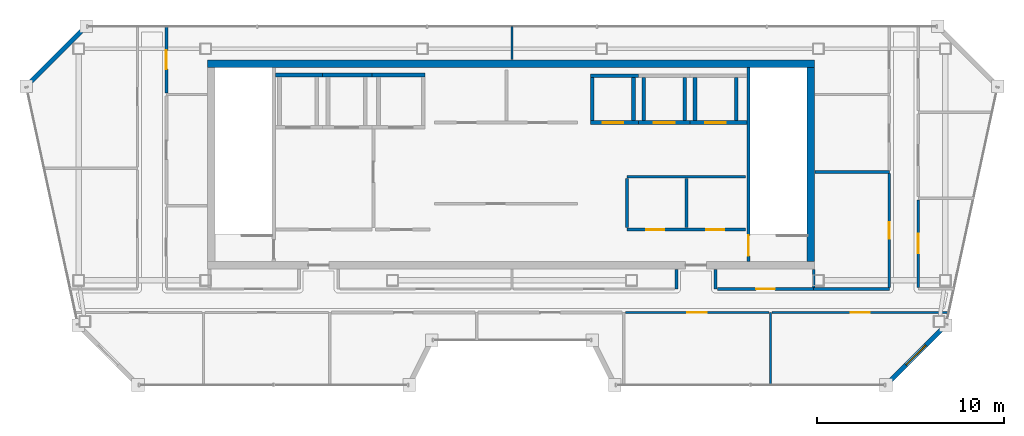
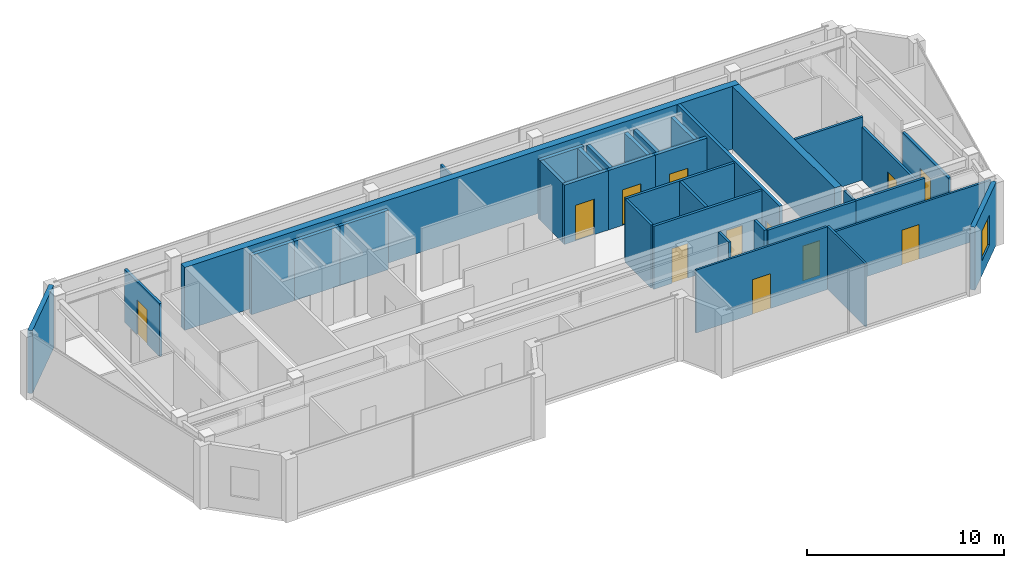
# One storey, part 15 of 17: 35 walls, 12 doors, 1 window, 13 openings.
"""IFC4 building model written with IfcOpenShell, lengths in metres."""

from ifc_helpers import new_model, si_unit, direction, frame, frame_2d, origin, place, context, subcontext, project, spatial, rectangle, extrude, material, layer, layer_set, type_object, element, fill, save


model = new_model("IFC4")

# Units and contexts
model_context = context("Model", 3, precision=1e-05, world=origin(), true_north=direction((0.0, 1.0)))
body_context = subcontext(model_context, "Body", "Model", "MODEL_VIEW")
ifc_project = project(units=[si_unit("LENGTHUNIT", "METRE"), si_unit("AREAUNIT", "SQUARE_METRE"), si_unit("VOLUMEUNIT", "CUBIC_METRE"), si_unit("PLANEANGLEUNIT", "RADIAN"), si_unit("MASSUNIT", "GRAM", prefix="KILO")], contexts=[model_context])

# Site, building, storey
site_placement = place(None, origin())
site = spatial("IfcSite", under=ifc_project, at=site_placement, CompositionType="ELEMENT")
building_placement = place(site_placement, origin())
building = spatial("IfcBuilding", under=site, at=building_placement, Name="Saevonmaru Cultural Tower", CompositionType="ELEMENT")
storey_placement = place(building_placement, frame((0.0, 0.0, 323.39990234375)))
storey = spatial("IfcBuildingStorey", under=building, at=storey_placement, Name="L77", CompositionType="ELEMENT", Elevation=323.39990234375)

# Walls
ifc_material_1 = material(Name="Concrete C50/60", Category="concrete")
ifc_layer_1 = layer(ifc_material_1, 0.39990234375, Name="Concrete C50/60")
ifc_layer_set_1 = layer_set([ifc_layer_1], Name="Concrete C50/60")
wall_type_1 = type_object("IfcWallType", Name="WL-CORE-400", PredefinedType="SHEAR", material=ifc_layer_set_1)
wall_1_placement = place(storey_placement, frame((13.699951171875, 54.0, 0.0), z_axis=(0.0, 0.0, 1.0), x_axis=(1.0, 0.0, 0.0)))
element("IfcWall", 1, at=wall_1_placement, inside=storey, type_object=wall_type_1, Name="L77 Tower RC core shear wall N", PredefinedType="SHEAR", context=body_context, shape_type="SweptSolid", body=[
    extrude(rectangle(XDim=32.5, YDim=0.39990234375, at=frame_2d((16.25, 0.0))), origin(), (0.0, 0.0, 1.0), 3.900146484375),
])
wall_2_placement = place(storey_placement, frame((46.0, 43.39990234375, 0.0), z_axis=(0.0, 0.0, 1.0), x_axis=(0.0, 1.0, 0.0)))
element("IfcWall", 2, at=wall_2_placement, inside=storey, type_object=wall_type_1, Name="L77 Tower RC core shear wall E", PredefinedType="SHEAR", context=body_context, shape_type="SweptSolid", body=[
    extrude(rectangle(XDim=10.400146484375, YDim=0.39990234375, at=frame_2d((5.2001953125, 0.0))), origin(), (0.0, 0.0, 1.0), 3.900146484375),
])

# Wall, openings, doors
ifc_material_2 = material(Name="Gypsum Fireboard Partition", Category="gypsum")
ifc_layer_2 = layer(ifc_material_2, 0.14990234375, Name="Gypsum Fireboard Partition")
ifc_layer_set_2 = layer_set([ifc_layer_2], Name="Gypsum Fireboard Partition")
wall_type_2 = type_object("IfcWallType", Name="WL-CORE-PART-150", PredefinedType="PARTITIONING", material=ifc_layer_set_2)
wall_3_placement = place(storey_placement, frame((36.14990234375, 45.1201171875, 0.0), z_axis=(0.0, 0.0, 1.0), x_axis=(1.0, 0.0, 0.0)))
wall_3 = element("IfcWall", 3, at=wall_3_placement, inside=storey, type_object=wall_type_2, Name="L77 Core Cluster South Wall", PredefinedType="PARTITIONING", context=body_context, shape_type="SweptSolid", body=[
    extrude(rectangle(XDim=6.35009765625, YDim=0.14990234375, at=frame_2d((3.175048828125, 0.0))), origin(), (0.0, 0.0, 1.0), 3.900146484375),
])
opening_1_placement = place(wall_3_placement, frame((1.050048828125, 0.0, 0.0)))
opening_1 = element("IfcOpeningElement", 4, at=opening_1_placement, cuts=wall_3, Name="Opening FD-4", PredefinedType="OPENING", context=body_context, shape_type="SweptSolid", body=[
    extrude(rectangle(XDim=0.949951171875, YDim=2.14990234375, at=frame_2d((0.47509765625, 1.074951171875))), frame((0.0, 0.0849609375, 0.0), z_axis=(0.0, -1.0, 0.0), x_axis=(1.0, 0.0, 0.0)), (0.0, 0.0, 1.0), 0.169921875),
])
opening_2_placement = place(wall_3_placement, frame((4.25, 0.0, 0.0)))
opening_2 = element("IfcOpeningElement", 5, at=opening_2_placement, cuts=wall_3, Name="Opening FD-4", PredefinedType="OPENING", context=body_context, shape_type="SweptSolid", body=[
    extrude(rectangle(XDim=0.949951171875, YDim=2.14990234375, at=frame_2d((0.47509765625, 1.074951171875))), frame((0.0, 0.0849609375, 0.0), z_axis=(0.0, -1.0, 0.0), x_axis=(1.0, 0.0, 0.0)), (0.0, 0.0, 1.0), 0.169921875),
])
ifc_material_3 = material(Name="Satin Bronze Anodised Aluminium", Category="aluminium")
door_type_1 = type_object("IfcDoorType", Name="DR-FD60-950", OperationType="SINGLE_SWING_LEFT", PredefinedType="DOOR", material=ifc_material_3)
door_1_placement = place(opening_1_placement, origin())
door_1 = element("IfcDoor", 6, at=door_1_placement, inside=storey, type_object=door_type_1, Name="L77 BMS Control Room Door", OperationType="SINGLE_SWING_LEFT", OverallHeight=2.14990234375, OverallWidth=0.949951171875, PredefinedType="DOOR", context=body_context, shape_type="SweptSolid", body=[
    extrude(rectangle(XDim=0.949951171875, YDim=2.14990234375, at=frame_2d((0.47509765625, 1.074951171875))), frame((0.0, 0.02490234375, 0.0), z_axis=(0.0, -1.0, 0.0), x_axis=(1.0, 0.0, 0.0)), (0.0, 0.0, 1.0), 0.050048828125),
])
fill(opening_1, door_1)
door_2_placement = place(opening_2_placement, origin())
door_2 = element("IfcDoor", 7, at=door_2_placement, inside=storey, type_object=door_type_1, Name="L77 Fibre Node Plant Door", OperationType="SINGLE_SWING_LEFT", OverallHeight=2.14990234375, OverallWidth=0.949951171875, PredefinedType="DOOR", context=body_context, shape_type="SweptSolid", body=[
    extrude(rectangle(XDim=0.949951171875, YDim=2.14990234375, at=frame_2d((0.47509765625, 1.074951171875))), frame((0.0, 0.02490234375, 0.0), z_axis=(0.0, -1.0, 0.0), x_axis=(1.0, 0.0, 0.0)), (0.0, 0.0, 1.0), 0.050048828125),
])
fill(opening_2, door_2)

# Walls
wall_4_placement = place(storey_placement, frame((36.14990234375, 47.949951171875, 0.0), z_axis=(0.0, 0.0, 1.0), x_axis=(1.0, 0.0, 0.0)))
element("IfcWall", 8, at=wall_4_placement, inside=storey, type_object=wall_type_2, Name="L77 Core Cluster North Wall", PredefinedType="PARTITIONING", context=body_context, shape_type="SweptSolid", body=[
    extrude(rectangle(XDim=6.35009765625, YDim=0.14990234375, at=frame_2d((3.175048828125, 0.0))), origin(), (0.0, 0.0, 1.0), 3.900146484375),
])
for number, where, z_axis, x_axis, name in (
    (9, (36.14990234375, 45.219970703125, 0.0), (0.0, 0.0, 1.0), (0.0, 1.0, 0.0), "L77 Core Cluster West Wall"),
    (10, (39.35009765625, 45.219970703125, 0.0), (0.0, 0.0, 1.0), (0.0, 1.0, 0.0), "L77 Core Cluster Inner Split"),
):
    element("IfcWall", number, at=place(storey_placement, frame(where, z_axis=z_axis, x_axis=x_axis)), inside=storey, type_object=wall_type_2, Name=name, PredefinedType="PARTITIONING", context=body_context, shape_type="SweptSolid", body=[
        extrude(rectangle(XDim=2.630126953125, YDim=0.14990234375, at=frame_2d((1.31494140625, 0.0))), origin(), (0.0, 0.0, 1.0), 3.900146484375),
    ])

# Wall, opening, window
ifc_material_4 = material(Name="Granite-Clad Precast Concrete C40/50", Category="masonry")
ifc_layer_3 = layer(ifc_material_4, 0.260009765625, Name="Granite-Clad Precast Concrete C40/50")
ifc_layer_set_3 = layer_set([ifc_layer_3], Name="Granite-Clad Precast Concrete C40/50")
wall_type_3 = type_object("IfcWallType", Name="WL-EXT-SPANDREL-260", PredefinedType="STANDARD", material=ifc_layer_set_3)
wall_5_placement = place(storey_placement, frame((50.139892578125, 36.9130859375, 0.0), z_axis=(0.0, 0.0, 1.0), x_axis=(0.70707775441, 0.707135806771, 0.0)))
wall_5 = element("IfcWall", 11, at=wall_5_placement, inside=storey, type_object=wall_type_3, Name="L77 Chamfer Corner Spandrel Wall E7", PredefinedType="STANDARD", context=body_context, shape_type="SweptSolid", body=[
    extrude(rectangle(XDim=4.20556640625, YDim=0.260009765625, at=frame_2d((2.102783203125, 0.0))), origin(), (0.0, 0.0, 1.0), 3.900146484375),
])
opening_3_placement = place(wall_5_placement, frame((1.35302734375, 0.0, 0.89990234375)))
opening_3 = element("IfcOpeningElement", 12, at=opening_3_placement, cuts=wall_5, Name="Opening W-2B", PredefinedType="OPENING", context=body_context, shape_type="SweptSolid", body=[
    extrude(rectangle(XDim=1.5, YDim=1.85009765625, at=frame_2d((0.75, 0.925048828125))), frame((0.0, 0.14013671875, 0.0), z_axis=(0.0, -1.0, 0.0), x_axis=(1.0, 0.0, 0.0)), (0.0, 0.0, 1.0), 0.280029296875),
])
window_type = type_object("IfcWindowType", Name="WN-DECO-1500x1850", PartitioningType="SINGLE_PANEL", PredefinedType="WINDOW", material=ifc_material_3)
window_placement = place(opening_3_placement, origin())
window = element("IfcWindow", 13, at=window_placement, inside=storey, type_object=window_type, Name="L77 Chamfer Corner Bronze Window E7", OverallHeight=1.85009765625, OverallWidth=1.5, PartitioningType="SINGLE_PANEL", PredefinedType="WINDOW", context=body_context, shape_type="SweptSolid", body=[
    extrude(rectangle(XDim=1.5, YDim=1.85009765625, at=frame_2d((0.75, 0.925048828125))), frame((0.0, 0.030029296875, 0.0), z_axis=(0.0, -1.0, 0.0), x_axis=(1.0, 0.0, 0.0)), (0.0, 0.0, 1.0), 0.06005859375),
])
fill(opening_3, window)

# Wall
wall_6_placement = place(storey_placement, frame((7.0869140625, 55.886962890625, 0.0), z_axis=(0.0, 0.0, 1.0), x_axis=(-0.707106781187, -0.707106781187, 0.0)))
element("IfcWall", 14, at=wall_6_placement, inside=storey, type_object=wall_type_3, Name="L77 Chamfer Corner Spandrel Wall E11", PredefinedType="STANDARD", context=body_context, shape_type="SweptSolid", body=[
    extrude(rectangle(XDim=4.205810546875, YDim=0.260009765625, at=frame_2d((2.10302734375, 0.0))), origin(), (0.0, 0.0, 1.0), 3.900146484375),
])

# Wall, opening, door
ifc_layer_4 = layer(ifc_material_2, 0.14990234375, Name="Gypsum Fireboard Partition")
ifc_layer_set_4 = layer_set([ifc_layer_4], Name="Gypsum Fireboard Partition")
wall_type_4 = type_object("IfcWallType", Name="WL-PART-FIRE-150", PredefinedType="PARTITIONING", material=ifc_layer_set_4)
wall_7_placement = place(storey_placement, frame((11.5, 52.429931640625, 0.0), z_axis=(0.0, 0.0, 1.0), x_axis=(0.0, 1.0, 0.0)))
wall_7 = element("IfcWall", 15, at=wall_7_placement, inside=storey, type_object=wall_type_4, Name="L77 Media Screening Auditorium Corridor Wall", PredefinedType="PARTITIONING", context=body_context, shape_type="SweptSolid", body=[
    extrude(rectangle(XDim=3.565185546875, YDim=0.14990234375, at=frame_2d((1.78271484375, 0.0))), origin(), (0.0, 0.0, 1.0), 3.28515625),
])
opening_4_placement = place(wall_7_placement, frame((1.281982421875, 0.0, 0.0)))
opening_4 = element("IfcOpeningElement", 16, at=opening_4_placement, cuts=wall_7, Name="Opening ID-1B", PredefinedType="OPENING", context=body_context, shape_type="SweptSolid", body=[
    extrude(rectangle(XDim=1.0, YDim=2.14990234375, at=frame_2d((0.5, 1.074951171875))), frame((0.0, 0.0849609375, 0.0), z_axis=(0.0, -1.0, 0.0), x_axis=(1.0, 0.0, 0.0)), (0.0, 0.0, 1.0), 0.169921875),
])
ifc_material_5 = material(Name="Acoustic Stained Oak Timber", Category="wood")
door_type_2 = type_object("IfcDoorType", Name="DR-INT-1000", OperationType="SINGLE_SWING_RIGHT", PredefinedType="DOOR", material=ifc_material_5)
door_3_placement = place(opening_4_placement, origin())
door_3 = element("IfcDoor", 17, at=door_3_placement, inside=storey, type_object=door_type_2, Name="L77 Media Screening Auditorium Door", OperationType="SINGLE_SWING_LEFT", OverallHeight=2.14990234375, OverallWidth=1.0, PredefinedType="DOOR", context=body_context, shape_type="SweptSolid", body=[
    extrude(rectangle(XDim=1.0, YDim=2.14990234375, at=frame_2d((0.5, 1.074951171875))), frame((0.0, 0.02490234375, 0.0), z_axis=(0.0, -1.0, 0.0), x_axis=(1.0, 0.0, 0.0)), (0.0, 0.0, 1.0), 0.050048828125),
])
fill(opening_4, door_3)

wall_8_placement = place(storey_placement, frame((51.75, 42.027587890625, 0.0), z_axis=(0.0, 0.0, 1.0), x_axis=(0.0, 1.0, 0.0)))
wall_8 = element("IfcWall", 18, at=wall_8_placement, inside=storey, type_object=wall_type_4, Name="L77 Visual Arts Critique Gallery Corridor Wall", PredefinedType="PARTITIONING", context=body_context, shape_type="SweptSolid", body=[
    extrude(rectangle(XDim=4.684814453125, YDim=0.14990234375, at=frame_2d((2.34228515625, 0.0))), origin(), (0.0, 0.0, 1.0), 3.297119140625),
])
opening_5_placement = place(wall_8_placement, frame((1.81689453125, 0.0, 0.0)))
opening_5 = element("IfcOpeningElement", 19, at=opening_5_placement, cuts=wall_8, Name="Opening ID-1", PredefinedType="OPENING", context=body_context, shape_type="SweptSolid", body=[
    extrude(rectangle(XDim=1.050048828125, YDim=2.14990234375, at=frame_2d((0.52490234375, 1.074951171875))), frame((0.0, 0.0849609375, 0.0), z_axis=(0.0, -1.0, 0.0), x_axis=(1.0, 0.0, 0.0)), (0.0, 0.0, 1.0), 0.169921875),
])
door_type_3 = type_object("IfcDoorType", Name="DR-INT-1050", OperationType="SINGLE_SWING_LEFT", PredefinedType="DOOR", material=ifc_material_3)
door_4_placement = place(opening_5_placement, origin())
door_4 = element("IfcDoor", 20, at=door_4_placement, inside=storey, type_object=door_type_3, Name="L77 Visual Arts Critique Gallery Door", OperationType="SINGLE_SWING_RIGHT", OverallHeight=2.14990234375, OverallWidth=1.050048828125, PredefinedType="DOOR", context=body_context, shape_type="SweptSolid", body=[
    extrude(rectangle(XDim=1.050048828125, YDim=2.14990234375, at=frame_2d((0.52490234375, 1.074951171875))), frame((0.0, 0.02490234375, 0.0), z_axis=(0.0, -1.0, 0.0), x_axis=(1.0, 0.0, 0.0)), (0.0, 0.0, 1.0), 0.050048828125),
])
fill(opening_5, door_4)

# Walls
for number, where, z_axis, x_axis, name in (
    (21, (38.800048828125, 41.93994140625, 0.0), (0.0, 0.0, 1.0), (0.0, 1.0, 0.0), "L77 Core Portal Side Wall E1"),
    (22, (40.89990234375, 41.93994140625, 0.0), (0.0, 0.0, 1.0), (0.0, 1.0, 0.0), "L77 Core Portal Side Wall E2"),
):
    element("IfcWall", number, at=place(storey_placement, frame(where, z_axis=z_axis, x_axis=x_axis)), inside=storey, type_object=wall_type_4, Name=name, PredefinedType="PARTITIONING", context=body_context, shape_type="SweptSolid", body=[
        extrude(rectangle(XDim=1.0400390625, YDim=0.14990234375, at=frame_2d((0.52001953125, 0.0))), origin(), (0.0, 0.0, 1.0), 3.900146484375),
    ])

# Wall, opening, door
wall_9_placement = place(storey_placement, frame((40.9951171875, 41.93994140625, 0.0), z_axis=(0.0, 0.0, 1.0), x_axis=(1.0, 0.0, 0.0)))
wall_9 = element("IfcWall", 23, at=wall_9_placement, inside=storey, type_object=wall_type_4, Name="L77 Media Screening Auditorium Corridor Wall", PredefinedType="PARTITIONING", context=body_context, shape_type="SweptSolid", body=[
    extrude(rectangle(XDim=5.15478515625, YDim=0.14990234375, at=frame_2d((2.577392578125, 0.0))), origin(), (0.0, 0.0, 1.0), 3.900146484375),
])
opening_6_placement = place(wall_9_placement, frame((2.077880859375, 0.0, 0.0)))
opening_6 = element("IfcOpeningElement", 24, at=opening_6_placement, cuts=wall_9, Name="Opening ID-1B", PredefinedType="OPENING", context=body_context, shape_type="SweptSolid", body=[
    extrude(rectangle(XDim=1.0, YDim=2.14990234375, at=frame_2d((0.5, 1.074951171875))), frame((0.0, 0.0849609375, 0.0), z_axis=(0.0, -1.0, 0.0), x_axis=(1.0, 0.0, 0.0)), (0.0, 0.0, 1.0), 0.169921875),
])
door_5_placement = place(opening_6_placement, origin())
door_5 = element("IfcDoor", 25, at=door_5_placement, inside=storey, type_object=door_type_2, Name="L77 Media Screening Auditorium Door", OperationType="SINGLE_SWING_RIGHT", OverallHeight=2.14990234375, OverallWidth=1.0, PredefinedType="DOOR", context=body_context, shape_type="SweptSolid", body=[
    extrude(rectangle(XDim=1.0, YDim=2.14990234375, at=frame_2d((0.5, 1.074951171875))), frame((0.0, 0.02490234375, 0.0), z_axis=(0.0, -1.0, 0.0), x_axis=(1.0, 0.0, 0.0)), (0.0, 0.0, 1.0), 0.050048828125),
])
fill(opening_6, door_5)

# Walls
ifc_layer_5 = layer(ifc_material_2, 0.1201171875, Name="Gypsum Fireboard Partition")
ifc_layer_set_5 = layer_set([ifc_layer_5], Name="Gypsum Fireboard Partition")
wall_type_5 = type_object("IfcWallType", Name="WL-PART-GYP-120", PredefinedType="PARTITIONING", material=ifc_layer_set_5)
wall_10_placement = place(storey_placement, frame((30.0, 54.219970703125, 0.0), z_axis=(0.0, 0.0, 1.0), x_axis=(0.0, 1.0, 0.0)))
element("IfcWall", 26, at=wall_10_placement, inside=storey, type_object=wall_type_5, Name="L77 North Panorama Center Split", PredefinedType="PARTITIONING", context=body_context, shape_type="SweptSolid", body=[
    extrude(rectangle(XDim=1.775146484375, YDim=0.1201171875, at=frame_2d((0.8876953125, 0.0))), origin(), (0.0, 0.0, 1.0), 3.28515625),
])
wall_11_placement = place(storey_placement, frame((43.840087890625, 36.804931640625, 0.0), z_axis=(0.0, 0.0, 1.0), x_axis=(0.0, 1.0, 0.0)))
element("IfcWall", 27, at=wall_11_placement, inside=storey, type_object=wall_type_5, Name="L77 Observatory Bay Divider 5", PredefinedType="PARTITIONING", context=body_context, shape_type="SweptSolid", body=[
    extrude(rectangle(XDim=3.875, YDim=0.1201171875, at=frame_2d((1.9375, 0.0))), origin(), (0.0, 0.0, 1.0), 3.900146484375),
])

# Wall, opening, door
wall_12_placement = place(storey_placement, frame((36.0673828125, 40.679931640625, 0.0), z_axis=(0.0, 0.0, 1.0), x_axis=(1.0, 0.0, 0.0)))
wall_12 = element("IfcWall", 28, at=wall_12_placement, inside=storey, type_object=wall_type_5, Name="L77 Cartographic Study Library Corridor Wall", PredefinedType="PARTITIONING", context=body_context, shape_type="SweptSolid", body=[
    extrude(rectangle(XDim=7.692626953125, YDim=0.1201171875, at=frame_2d((3.84619140625, 0.0))), origin(), (0.0, 0.0, 1.0), 3.900146484375),
])
opening_7_placement = place(wall_12_placement, frame((3.321044921875, 0.0, 0.0)))
opening_7 = element("IfcOpeningElement", 29, at=opening_7_placement, cuts=wall_12, Name="Opening ID-1", PredefinedType="OPENING", context=body_context, shape_type="SweptSolid", body=[
    extrude(rectangle(XDim=1.050048828125, YDim=2.14990234375, at=frame_2d((0.52490234375, 1.074951171875))), frame((0.0, 0.070068359375, 0.0), z_axis=(0.0, -1.0, 0.0), x_axis=(1.0, 0.0, 0.0)), (0.0, 0.0, 1.0), 0.14013671875),
])
door_6_placement = place(opening_7_placement, origin())
door_6 = element("IfcDoor", 30, at=door_6_placement, inside=storey, type_object=door_type_3, Name="L77 Cartographic Study Library Door", OperationType="SINGLE_SWING_LEFT", OverallHeight=2.14990234375, OverallWidth=1.050048828125, PredefinedType="DOOR", context=body_context, shape_type="SweptSolid", body=[
    extrude(rectangle(XDim=1.050048828125, YDim=2.14990234375, at=frame_2d((0.52490234375, 1.074951171875))), frame((0.0, 0.02490234375, 0.0), z_axis=(0.0, -1.0, 0.0), x_axis=(1.0, 0.0, 0.0)), (0.0, 0.0, 1.0), 0.050048828125),
])
fill(opening_7, door_6)

wall_13_placement = place(storey_placement, frame((43.919921875, 40.679931640625, 0.0), z_axis=(0.0, 0.0, 1.0), x_axis=(1.0, 0.0, 0.0)))
wall_13 = element("IfcWall", 31, at=wall_13_placement, inside=storey, type_object=wall_type_5, Name="L77 Panoramic Salon Restaurant Corridor Wall", PredefinedType="PARTITIONING", context=body_context, shape_type="SweptSolid", body=[
    extrude(rectangle(XDim=9.448974609375, YDim=0.1201171875, at=frame_2d((4.724609375, 0.0))), origin(), (0.0, 0.0, 1.0), 3.43505859375),
])
opening_8_placement = place(wall_13_placement, frame((4.22412109375, 0.0, 0.0)))
opening_8 = element("IfcOpeningElement", 32, at=opening_8_placement, cuts=wall_13, Name="Opening ID-1B", PredefinedType="OPENING", context=body_context, shape_type="SweptSolid", body=[
    extrude(rectangle(XDim=1.0, YDim=2.14990234375, at=frame_2d((0.5, 1.074951171875))), frame((0.0, 0.070068359375, 0.0), z_axis=(0.0, -1.0, 0.0), x_axis=(1.0, 0.0, 0.0)), (0.0, 0.0, 1.0), 0.14013671875),
])
door_7_placement = place(opening_8_placement, origin())
door_7 = element("IfcDoor", 33, at=door_7_placement, inside=storey, type_object=door_type_2, Name="L77 Panoramic Salon Restaurant Door", OperationType="SINGLE_SWING_RIGHT", OverallHeight=2.14990234375, OverallWidth=1.0, PredefinedType="DOOR", context=body_context, shape_type="SweptSolid", body=[
    extrude(rectangle(XDim=1.0, YDim=2.14990234375, at=frame_2d((0.5, 1.074951171875))), frame((0.0, 0.02490234375, 0.0), z_axis=(0.0, -1.0, 0.0), x_axis=(1.0, 0.0, 0.0)), (0.0, 0.0, 1.0), 0.050048828125),
])
fill(opening_8, door_7)

# Walls
ifc_layer_6 = layer(ifc_material_2, 0.139892578125, Name="Gypsum Fireboard Partition")
ifc_layer_set_6 = layer_set([ifc_layer_6], Name="Gypsum Fireboard Partition")
wall_type_6 = type_object("IfcWallType", Name="WL-PART-WET-140", PredefinedType="PARTITIONING", material=ifc_layer_set_6)
wall_14_placement = place(storey_placement, frame((46.14990234375, 41.93994140625, 0.0), z_axis=(0.0, 0.0, 1.0), x_axis=(1.0, 0.0, 0.0)))
element("IfcWall", 34, at=wall_14_placement, inside=storey, type_object=wall_type_6, Name="L77 Washroom South Wall", PredefinedType="PARTITIONING", context=body_context, shape_type="SweptSolid", body=[
    extrude(rectangle(XDim=4.050048828125, YDim=0.139892578125, at=frame_2d((2.02490234375, 0.0))), origin(), (0.0, 0.0, 1.0), 3.900146484375),
])
wall_15_placement = place(storey_placement, frame((46.14990234375, 42.030029296875, 0.0), z_axis=(0.0, 0.0, 1.0), x_axis=(0.0, 1.0, 0.0)))
element("IfcWall", 35, at=wall_15_placement, inside=storey, type_object=wall_type_6, Name="L77 Washroom South-West Return", PredefinedType="PARTITIONING", context=body_context, shape_type="SweptSolid", body=[
    extrude(rectangle(XDim=0.949951171875, YDim=0.139892578125, at=frame_2d((0.47509765625, 0.0))), origin(), (0.0, 0.0, 1.0), 3.900146484375),
])
wall_16_placement = place(storey_placement, frame((46.219970703125, 48.199951171875, 0.0), z_axis=(0.0, 0.0, 1.0), x_axis=(1.0, 0.0, 0.0)))
element("IfcWall", 36, at=wall_16_placement, inside=storey, type_object=wall_type_6, Name="L77 Washroom North Wall", PredefinedType="PARTITIONING", context=body_context, shape_type="SweptSolid", body=[
    extrude(rectangle(XDim=3.97998046875, YDim=0.139892578125, at=frame_2d((1.989990234375, 0.0))), origin(), (0.0, 0.0, 1.0), 3.900146484375),
])

# Wall, opening, door
wall_17_placement = place(storey_placement, frame((50.199951171875, 42.030029296875, 0.0), z_axis=(0.0, 0.0, 1.0), x_axis=(0.0, 1.0, 0.0)))
wall_17 = element("IfcWall", 37, at=wall_17_placement, inside=storey, type_object=wall_type_6, Name="L77 Washroom Corridor Wall", PredefinedType="PARTITIONING", context=body_context, shape_type="SweptSolid", body=[
    extrude(rectangle(XDim=6.080078125, YDim=0.139892578125, at=frame_2d((3.0400390625, 0.0))), origin(), (0.0, 0.0, 1.0), 3.297119140625),
])
opening_9_placement = place(wall_17_placement, frame((2.590087890625, 0.0, 0.0)))
opening_9 = element("IfcOpeningElement", 38, at=opening_9_placement, cuts=wall_17, Name="Opening ID-2", PredefinedType="OPENING", context=body_context, shape_type="SweptSolid", body=[
    extrude(rectangle(XDim=0.89990234375, YDim=2.10009765625, at=frame_2d((0.449951171875, 1.050048828125))), frame((0.0, 0.080078125, 0.0), z_axis=(0.0, -1.0, 0.0), x_axis=(1.0, 0.0, 0.0)), (0.0, 0.0, 1.0), 0.159912109375),
])
door_type_4 = type_object("IfcDoorType", Name="DR-INT-900", OperationType="SINGLE_SWING_RIGHT", PredefinedType="DOOR", material=ifc_material_5)
door_8_placement = place(opening_9_placement, origin())
door_8 = element("IfcDoor", 39, at=door_8_placement, inside=storey, type_object=door_type_4, Name="L77 Public Accessible Washrooms Door", OperationType="SINGLE_SWING_RIGHT", OverallHeight=2.10009765625, OverallWidth=0.89990234375, PredefinedType="DOOR", context=body_context, shape_type="SweptSolid", body=[
    extrude(rectangle(XDim=0.89990234375, YDim=2.10009765625, at=frame_2d((0.449951171875, 1.050048828125))), frame((0.0, 0.02490234375, 0.0), z_axis=(0.0, -1.0, 0.0), x_axis=(1.0, 0.0, 0.0)), (0.0, 0.0, 1.0), 0.050048828125),
])
fill(opening_9, door_8)

# Walls
ifc_material_6 = material(Name="Concrete C40/50", Category="concrete")
ifc_layer_7 = layer(ifc_material_6, 0.199951171875, Name="Concrete C40/50")
ifc_layer_set_7 = layer_set([ifc_layer_7], Name="Concrete C40/50")
wall_type_7 = type_object("IfcWallType", Name="WL-SHAFT-200", PredefinedType="SHEAR", material=ifc_layer_set_7)
wall_18_placement = place(storey_placement, frame((17.330078125, 53.39990234375, 0.0), z_axis=(0.0, 0.0, 1.0), x_axis=(1.0, 0.0, 0.0)))
element("IfcWall", 40, at=wall_18_placement, inside=storey, type_object=wall_type_7, Name="L77 Lift FFL-1 Hoistway Wall N", PredefinedType="SHEAR", context=body_context, shape_type="SweptSolid", body=[
    extrude(rectangle(XDim=2.52001953125, YDim=0.199951171875, at=frame_2d((1.260009765625, 0.0))), origin(), (0.0, 0.0, 1.0), 3.68017578125),
])
wall_19_placement = place(storey_placement, frame((19.85009765625, 53.39990234375, 0.0), z_axis=(0.0, 0.0, 1.0), x_axis=(1.0, 0.0, 0.0)))
element("IfcWall", 41, at=wall_19_placement, inside=storey, type_object=wall_type_7, Name="L77 Lift FFL-2 Hoistway Wall N", PredefinedType="SHEAR", context=body_context, shape_type="SweptSolid", body=[
    extrude(rectangle(XDim=2.64990234375, YDim=0.199951171875, at=frame_2d((1.324951171875, 0.0))), origin(), (0.0, 0.0, 1.0), 3.68017578125),
])
wall_20_placement = place(storey_placement, frame((22.5, 53.39990234375, 0.0), z_axis=(0.0, 0.0, 1.0), x_axis=(1.0, 0.0, 0.0)))
element("IfcWall", 42, at=wall_20_placement, inside=storey, type_object=wall_type_7, Name="L77 Lift GL-1 Hoistway Wall N", PredefinedType="SHEAR", context=body_context, shape_type="SweptSolid", body=[
    extrude(rectangle(XDim=2.85009765625, YDim=0.199951171875, at=frame_2d((1.425048828125, 0.0))), origin(), (0.0, 0.0, 1.0), 3.68017578125),
])

# Wall, opening, door
wall_21_placement = place(storey_placement, frame((34.199951171875, 50.85009765625, 0.0), z_axis=(0.0, 0.0, 1.0), x_axis=(1.0, 0.0, 0.0)))
wall_21 = element("IfcWall", 43, at=wall_21_placement, inside=storey, type_object=wall_type_7, Name="L77 Lift PL-H1 Hoistway Wall S", PredefinedType="SHEAR", context=body_context, shape_type="SweptSolid", body=[
    extrude(rectangle(XDim=2.574951171875, YDim=0.199951171875, at=frame_2d((1.28759765625, 0.0))), origin(), (0.0, 0.0, 1.0), 3.68017578125),
])
opening_10_placement = place(wall_21_placement, frame((0.64990234375, 0.0, 0.0)))
opening_10 = element("IfcOpeningElement", 44, at=opening_10_placement, cuts=wall_21, Name="Opening LD-1", PredefinedType="OPENING", context=body_context, shape_type="SweptSolid", body=[
    extrude(rectangle(XDim=1.10009765625, YDim=2.199951171875, at=frame_2d((0.550048828125, 1.10009765625))), frame((0.0, 0.10986328125, 0.0), z_axis=(0.0, -1.0, 0.0), x_axis=(1.0, 0.0, 0.0)), (0.0, 0.0, 1.0), 0.219970703125),
])
ifc_material_7 = material(Name="Satin Bronze Stainless Steel", Category="steel")
door_type_5 = type_object("IfcDoorType", Name="DR-LIFT-1100", OperationType="SLIDING_TO_LEFT", PredefinedType="DOOR", material=ifc_material_7)
door_9_placement = place(opening_10_placement, origin())
door_9 = element("IfcDoor", 45, at=door_9_placement, inside=storey, type_object=door_type_5, Name="L77 Lift PL-H1 Sliding Landing Door", OperationType="SLIDING_TO_LEFT", OverallHeight=2.199951171875, OverallWidth=1.10009765625, PredefinedType="DOOR", context=body_context, shape_type="SweptSolid", body=[
    extrude(rectangle(XDim=1.10009765625, YDim=2.199951171875, at=frame_2d((0.550048828125, 1.10009765625))), frame((0.0, 0.02490234375, 0.0), z_axis=(0.0, -1.0, 0.0), x_axis=(1.0, 0.0, 0.0)), (0.0, 0.0, 1.0), 0.050048828125),
])
fill(opening_10, door_9)

# Walls
wall_22_placement = place(storey_placement, frame((34.199951171875, 53.35009765625, 0.0), z_axis=(0.0, 0.0, 1.0), x_axis=(1.0, 0.0, 0.0)))
element("IfcWall", 46, at=wall_22_placement, inside=storey, type_object=wall_type_7, Name="L77 Lift PL-H1 Hoistway Wall N", PredefinedType="SHEAR", context=body_context, shape_type="SweptSolid", body=[
    extrude(rectangle(XDim=2.574951171875, YDim=0.199951171875, at=frame_2d((1.28759765625, 0.0))), origin(), (0.0, 0.0, 1.0), 3.68017578125),
])
for number, where, z_axis, x_axis, name in (
    (47, (34.300048828125, 50.949951171875, 0.0), (0.0, 0.0, 1.0), (0.0, 1.0, 0.0), "L77 Lift PL-H1 Hoistway Wall W"),
    (48, (36.5, 50.949951171875, 0.0), (0.0, 0.0, 1.0), (0.0, 1.0, 0.0), "L77 Lift PL-H1 Hoistway Wall E"),
):
    element("IfcWall", number, at=place(storey_placement, frame(where, z_axis=z_axis, x_axis=x_axis)), inside=storey, type_object=wall_type_7, Name=name, PredefinedType="SHEAR", context=body_context, shape_type="SweptSolid", body=[
        extrude(rectangle(XDim=2.300048828125, YDim=0.199951171875, at=frame_2d((1.14990234375, 0.0))), origin(), (0.0, 0.0, 1.0), 3.68017578125),
    ])

# Wall, opening, door
wall_23_placement = place(storey_placement, frame((36.77490234375, 50.85009765625, 0.0), z_axis=(0.0, 0.0, 1.0), x_axis=(1.0, 0.0, 0.0)))
wall_23 = element("IfcWall", 49, at=wall_23_placement, inside=storey, type_object=wall_type_7, Name="L77 Lift PL-H2 Hoistway Wall S", PredefinedType="SHEAR", context=body_context, shape_type="SweptSolid", body=[
    extrude(rectangle(XDim=2.75, YDim=0.199951171875, at=frame_2d((1.375, 0.0))), origin(), (0.0, 0.0, 1.0), 3.68017578125),
])
opening_11_placement = place(wall_23_placement, frame((0.824951171875, 0.0, 0.0)))
opening_11 = element("IfcOpeningElement", 50, at=opening_11_placement, cuts=wall_23, Name="Opening LD-1", PredefinedType="OPENING", context=body_context, shape_type="SweptSolid", body=[
    extrude(rectangle(XDim=1.10009765625, YDim=2.199951171875, at=frame_2d((0.550048828125, 1.10009765625))), frame((0.0, 0.10986328125, 0.0), z_axis=(0.0, -1.0, 0.0), x_axis=(1.0, 0.0, 0.0)), (0.0, 0.0, 1.0), 0.219970703125),
])
door_10_placement = place(opening_11_placement, origin())
door_10 = element("IfcDoor", 51, at=door_10_placement, inside=storey, type_object=door_type_5, Name="L77 Lift PL-H2 Sliding Landing Door", OperationType="SLIDING_TO_LEFT", OverallHeight=2.199951171875, OverallWidth=1.10009765625, PredefinedType="DOOR", context=body_context, shape_type="SweptSolid", body=[
    extrude(rectangle(XDim=1.10009765625, YDim=2.199951171875, at=frame_2d((0.550048828125, 1.10009765625))), frame((0.0, 0.02490234375, 0.0), z_axis=(0.0, -1.0, 0.0), x_axis=(1.0, 0.0, 0.0)), (0.0, 0.0, 1.0), 0.050048828125),
])
fill(opening_11, door_10)

# Walls
for number, where, z_axis, x_axis, name in (
    (52, (37.050048828125, 50.949951171875, 0.0), (0.0, 0.0, 1.0), (0.0, 1.0, 0.0), "L77 Lift PL-H2 Hoistway Wall W"),
    (53, (39.25, 50.949951171875, 0.0), (0.0, 0.0, 1.0), (0.0, 1.0, 0.0), "L77 Lift PL-H2 Hoistway Wall E"),
):
    element("IfcWall", number, at=place(storey_placement, frame(where, z_axis=z_axis, x_axis=x_axis)), inside=storey, type_object=wall_type_7, Name=name, PredefinedType="SHEAR", context=body_context, shape_type="SweptSolid", body=[
        extrude(rectangle(XDim=2.300048828125, YDim=0.199951171875, at=frame_2d((1.14990234375, 0.0))), origin(), (0.0, 0.0, 1.0), 3.68017578125),
    ])

# Wall, opening, door
wall_24_placement = place(storey_placement, frame((39.52490234375, 50.85009765625, 0.0), z_axis=(0.0, 0.0, 1.0), x_axis=(1.0, 0.0, 0.0)))
wall_24 = element("IfcWall", 54, at=wall_24_placement, inside=storey, type_object=wall_type_7, Name="L77 Lift PL-H3 Hoistway Wall S", PredefinedType="SHEAR", context=body_context, shape_type="SweptSolid", body=[
    extrude(rectangle(XDim=3.045166015625, YDim=0.199951171875, at=frame_2d((1.5224609375, 0.0))), origin(), (0.0, 0.0, 1.0), 3.68017578125),
])
opening_12_placement = place(wall_24_placement, frame((0.824951171875, 0.0, 0.0)))
opening_12 = element("IfcOpeningElement", 55, at=opening_12_placement, cuts=wall_24, Name="Opening LD-1", PredefinedType="OPENING", context=body_context, shape_type="SweptSolid", body=[
    extrude(rectangle(XDim=1.10009765625, YDim=2.199951171875, at=frame_2d((0.550048828125, 1.10009765625))), frame((0.0, 0.10986328125, 0.0), z_axis=(0.0, -1.0, 0.0), x_axis=(1.0, 0.0, 0.0)), (0.0, 0.0, 1.0), 0.219970703125),
])
door_11_placement = place(opening_12_placement, origin())
door_11 = element("IfcDoor", 56, at=door_11_placement, inside=storey, type_object=door_type_5, Name="L77 Lift PL-H3 Sliding Landing Door", OperationType="SLIDING_TO_LEFT", OverallHeight=2.199951171875, OverallWidth=1.10009765625, PredefinedType="DOOR", context=body_context, shape_type="SweptSolid", body=[
    extrude(rectangle(XDim=1.10009765625, YDim=2.199951171875, at=frame_2d((0.550048828125, 1.10009765625))), frame((0.0, 0.02490234375, 0.0), z_axis=(0.0, -1.0, 0.0), x_axis=(1.0, 0.0, 0.0)), (0.0, 0.0, 1.0), 0.050048828125),
])
fill(opening_12, door_11)

# Walls
for number, where, z_axis, x_axis, name in (
    (57, (39.800048828125, 50.949951171875, 0.0), (0.0, 0.0, 1.0), (0.0, 1.0, 0.0), "L77 Lift PL-H3 Hoistway Wall W"),
    (58, (42.0, 50.949951171875, 0.0), (0.0, 0.0, 1.0), (0.0, 1.0, 0.0), "L77 Lift PL-H3 Hoistway Wall E"),
):
    element("IfcWall", number, at=place(storey_placement, frame(where, z_axis=z_axis, x_axis=x_axis)), inside=storey, type_object=wall_type_7, Name=name, PredefinedType="SHEAR", context=body_context, shape_type="SweptSolid", body=[
        extrude(rectangle(XDim=2.300048828125, YDim=0.199951171875, at=frame_2d((1.14990234375, 0.0))), origin(), (0.0, 0.0, 1.0), 3.68017578125),
    ])

# Wall, opening, door
ifc_layer_8 = layer(ifc_material_6, 0.179931640625, Name="Concrete C40/50")
ifc_layer_set_8 = layer_set([ifc_layer_8], Name="Concrete C40/50")
wall_type_8 = type_object("IfcWallType", Name="WL-STSHAFT-180", PredefinedType="SHEAR", material=ifc_layer_set_8)
wall_25_placement = place(storey_placement, frame((42.659912109375, 53.800048828125, 0.0), z_axis=(0.0, 0.0, 1.0), x_axis=(0.0, -1.0, 0.0)))
wall_25 = element("IfcWall", 59, at=wall_25_placement, inside=storey, type_object=wall_type_8, Name="L77 Stair ST-2 Structural Shaft Wall 1", PredefinedType="SHEAR", context=body_context, shape_type="SweptSolid", body=[
    extrude(rectangle(XDim=10.400146484375, YDim=0.179931640625, at=frame_2d((5.2001953125, 0.0))), origin(), (0.0, 0.0, 1.0), 3.900146484375),
])
opening_13_placement = place(wall_25_placement, frame((8.989990234375, 0.0, 0.0)))
opening_13 = element("IfcOpeningElement", 60, at=opening_13_placement, cuts=wall_25, Name="Opening FD-2", PredefinedType="OPENING", context=body_context, shape_type="SweptSolid", body=[
    extrude(rectangle(XDim=1.10009765625, YDim=2.14990234375, at=frame_2d((0.550048828125, 1.074951171875))), frame((0.0, 0.10009765625, 0.0), z_axis=(0.0, -1.0, 0.0), x_axis=(1.0, 0.0, 0.0)), (0.0, 0.0, 1.0), 0.199951171875),
])
door_type_6 = type_object("IfcDoorType", Name="DR-FD60-1100", OperationType="SINGLE_SWING_LEFT", PredefinedType="DOOR", material=ifc_material_3)
door_12_placement = place(opening_13_placement, origin())
door_12 = element("IfcDoor", 61, at=door_12_placement, inside=storey, type_object=door_type_6, Name="L77 Protected Stair ST-2 Fire Door", OperationType="SINGLE_SWING_LEFT", OverallHeight=2.14990234375, OverallWidth=1.10009765625, PredefinedType="DOOR", context=body_context, shape_type="SweptSolid", body=[
    extrude(rectangle(XDim=1.10009765625, YDim=2.14990234375, at=frame_2d((0.550048828125, 1.074951171875))), frame((0.0, 0.02490234375, 0.0), z_axis=(0.0, -1.0, 0.0), x_axis=(1.0, 0.0, 0.0)), (0.0, 0.0, 1.0), 0.050048828125),
])
fill(opening_13, door_12)

save(model, "model.ifc")
